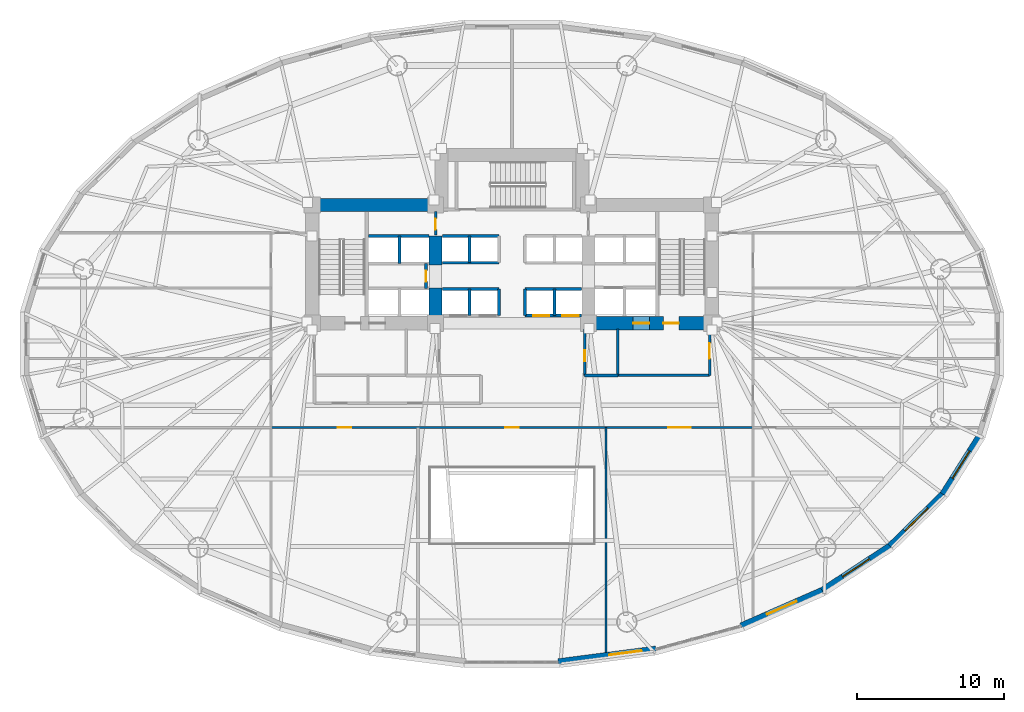
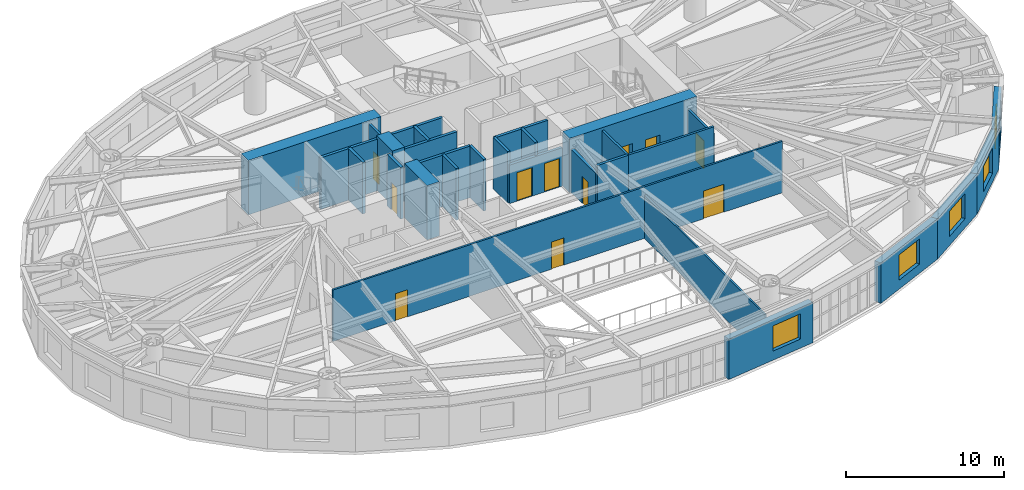
# One storey, part 10 of 19: 30 walls, 11 doors, 5 windows, 16 openings.
"""IFC4 building model written with IfcOpenShell, lengths in metres."""

from ifc_helpers import new_model, si_unit, direction, frame, frame_2d, origin, place, context, subcontext, project, spatial, rectangle, extrude, material, layer, layer_set, type_object, element, fill, save


model = new_model("IFC4")

# Units and contexts
model_context = context("Model", 3, precision=1e-05, world=origin(), true_north=direction((0.0, 1.0)))
body_context = subcontext(model_context, "Body", "Model", "MODEL_VIEW")
ifc_project = project(units=[si_unit("LENGTHUNIT", "METRE"), si_unit("AREAUNIT", "SQUARE_METRE"), si_unit("VOLUMEUNIT", "CUBIC_METRE"), si_unit("PLANEANGLEUNIT", "RADIAN"), si_unit("MASSUNIT", "GRAM", prefix="KILO")], contexts=[model_context])

# Site, building, storey
site_placement = place(None, origin())
site = spatial("IfcSite", under=ifc_project, at=site_placement, CompositionType="ELEMENT")
building_placement = place(site_placement, origin())
building = spatial("IfcBuilding", under=site, at=building_placement, Name="Keldmark Tower", CompositionType="ELEMENT")
storey_placement = place(building_placement, frame((0.0, 0.0, 10.199951171875)))
storey = spatial("IfcBuildingStorey", under=building, at=storey_placement, Name="L02", CompositionType="ELEMENT", Elevation=10.199951171875)

# Wall, openings, doors
ifc_material_1 = material(Name="Acoustic Double-Layer Gypsum Corridor Partition", Category="gypsum")
ifc_layer_1 = layer(ifc_material_1, 0.139892578125)
ifc_layer_set_1 = layer_set([ifc_layer_1], Name="Acoustic Double-Layer Gypsum Corridor Partition")
wall_type_1 = type_object("IfcWallType", Name="Acoustic Corridor Partition 140 mm", PredefinedType="PARTITIONING", material=ifc_layer_set_1)
wall_1_placement = place(storey_placement, frame((-16.39990234375, -5.699951171875, 0.0), z_axis=(0.0, 0.0, 1.0), x_axis=(1.0, 0.0, 0.0)))
wall_1 = element("IfcWall", 1, at=wall_1_placement, inside=storey, type_object=wall_type_1, Name="L02 Acoustic Corridor Partition 140 mm COR-S", PredefinedType="PARTITIONING", context=body_context, shape_type="SweptSolid", body=[
    extrude(rectangle(XDim=32.7998046875, YDim=0.139892578125, at=frame_2d((16.39990234375, 0.0))), origin(), (0.0, 0.0, 1.0), 3.97998046875),
])
opening_1_placement = place(wall_1_placement, frame((4.550048828125, 0.0, 0.0)))
opening_1 = element("IfcOpeningElement", 2, at=opening_1_placement, cuts=wall_1, Name="Opening D-IN090", PredefinedType="OPENING", context=body_context, shape_type="SweptSolid", body=[
    extrude(rectangle(XDim=0.89990234375, YDim=2.10009765625, at=frame_2d((0.449951171875, 1.050048828125))), frame((0.0, 0.079833984375, 0.0), z_axis=(0.0, -1.0, 0.0), x_axis=(1.0, 0.0, 0.0)), (0.0, 0.0, 1.0), 0.159912109375),
])
opening_2_placement = place(wall_1_placement, frame((15.949951171875, 0.0, 0.0)))
opening_2 = element("IfcOpeningElement", 3, at=opening_2_placement, cuts=wall_1, Name="Opening D-IN090", PredefinedType="OPENING", context=body_context, shape_type="SweptSolid", body=[
    extrude(rectangle(XDim=0.89990234375, YDim=2.10009765625, at=frame_2d((0.449951171875, 1.050048828125))), frame((0.0, 0.079833984375, 0.0), z_axis=(0.0, -1.0, 0.0), x_axis=(1.0, 0.0, 0.0)), (0.0, 0.0, 1.0), 0.159912109375),
])
opening_3_placement = place(wall_1_placement, frame((27.050048828125, 0.0, 0.0)))
opening_3 = element("IfcOpeningElement", 4, at=opening_3_placement, cuts=wall_1, Name="Opening D-CF150", PredefinedType="OPENING", context=body_context, shape_type="SweptSolid", body=[
    extrude(rectangle(XDim=1.5, YDim=2.14990234375, at=frame_2d((0.75, 1.074951171875))), frame((0.0, 0.079833984375, 0.0), z_axis=(0.0, -1.0, 0.0), x_axis=(1.0, 0.0, 0.0)), (0.0, 0.0, 1.0), 0.159912109375),
])
ifc_material_2 = material(Name="Acoustic Timber and Tempered Glass Double Door", Category="wood")
door_type_1 = type_object("IfcDoorType", Name="Conference Double Door 1500x2150", OperationType="DOUBLE_DOOR_SINGLE_SWING", PredefinedType="DOOR", material=ifc_material_2)
door_1_placement = place(opening_3_placement, origin())
door_1 = element("IfcDoor", 5, at=door_1_placement, inside=storey, type_object=door_type_1, Name="L02 Conference Double Door 1500x2150 D-SR-3-L02", OperationType="DOUBLE_DOOR_SINGLE_SWING", OverallHeight=2.14990234375, OverallWidth=1.5, PredefinedType="DOOR", context=body_context, shape_type="SweptSolid", body=[
    extrude(rectangle(XDim=1.5, YDim=2.14990234375, at=frame_2d((0.75, 1.074951171875))), frame((0.0, 0.02490234375, 0.0), z_axis=(0.0, -1.0, 0.0), x_axis=(1.0, 0.0, 0.0)), (0.0, 0.0, 1.0), 0.050048828125),
])
fill(opening_3, door_1)
ifc_material_3 = material(Name="Stained American White Oak Veneer", Category="wood")
door_type_2 = type_object("IfcDoorType", Name="Interior Door 900x2100", OperationType="NOTDEFINED", PredefinedType="DOOR", material=ifc_material_3)
door_2_placement = place(opening_1_placement, origin())
door_2 = element("IfcDoor", 6, at=door_2_placement, inside=storey, type_object=door_type_2, Name="L02 Interior Door 900x2100 D-SR-1-L02", OperationType="SINGLE_SWING_LEFT", OverallHeight=2.10009765625, OverallWidth=0.89990234375, PredefinedType="DOOR", context=body_context, shape_type="SweptSolid", body=[
    extrude(rectangle(XDim=0.89990234375, YDim=2.10009765625, at=frame_2d((0.449951171875, 1.050048828125))), frame((0.0, 0.02490234375, 0.0), z_axis=(0.0, -1.0, 0.0), x_axis=(1.0, 0.0, 0.0)), (0.0, 0.0, 1.0), 0.050048828125),
])
fill(opening_1, door_2)
door_3_placement = place(opening_2_placement, origin())
door_3 = element("IfcDoor", 7, at=door_3_placement, inside=storey, type_object=door_type_2, Name="L02 Interior Door 900x2100 D-SR-2-L02", OperationType="SINGLE_SWING_RIGHT", OverallHeight=2.10009765625, OverallWidth=0.89990234375, PredefinedType="DOOR", context=body_context, shape_type="SweptSolid", body=[
    extrude(rectangle(XDim=0.89990234375, YDim=2.10009765625, at=frame_2d((0.449951171875, 1.050048828125))), frame((0.0, 0.02490234375, 0.0), z_axis=(0.0, -1.0, 0.0), x_axis=(1.0, 0.0, 0.0)), (0.0, 0.0, 1.0), 0.050048828125),
])
fill(opening_2, door_3)

# Walls
ifc_material_4 = material(Name="Acoustic Gypsum Board Interior Partition", Category="gypsum")
ifc_layer_2 = layer(ifc_material_4, 0.1298828125)
ifc_layer_set_2 = layer_set([ifc_layer_2], Name="Acoustic Gypsum Board Interior Partition")
wall_type_2 = type_object("IfcWallType", Name="Interior Partition 130 mm", PredefinedType="PARTITIONING", material=ifc_layer_set_2)
wall_2_placement = place(storey_placement, frame((6.39990234375, -20.994873046875, 0.0), z_axis=(0.0, 0.0, 1.0), x_axis=(0.0, 1.0, 0.0)))
element("IfcWall", 8, at=wall_2_placement, inside=storey, type_object=wall_type_2, Name="L02 Interior Partition 130 mm S-DIV-2", PredefinedType="PARTITIONING", context=body_context, shape_type="SweptSolid", body=[
    extrude(rectangle(XDim=15.294921875, YDim=0.1298828125, at=frame_2d((7.6474609375, 0.0))), origin(), (0.0, 0.0, 1.0), 3.34814453125),
])
ifc_material_5 = material(Name="Concrete C70/85", Category="concrete")
ifc_layer_3 = layer(ifc_material_5, 0.89990234375)
ifc_layer_set_3 = layer_set([ifc_layer_3], Name="Concrete C70/85")
wall_type_3 = type_object("IfcWallType", Name="Lower Core Shear Wall 900 mm", PredefinedType="SHEAR", material=ifc_layer_set_3)
wall_3_placement = place(storey_placement, frame((-14.050048828125, 9.449951171875, 0.0), z_axis=(0.0, 0.0, 1.0), x_axis=(1.0, 0.0, 0.0)))
element("IfcWall", 9, at=wall_3_placement, inside=storey, type_object=wall_type_3, Name="L02 West Core North Shear Wall", PredefinedType="SHEAR", context=body_context, shape_type="SweptSolid", body=[
    extrude(rectangle(XDim=9.699951171875, YDim=0.89990234375, at=frame_2d((4.85009765625, 0.0))), origin(), (0.0, 0.0, 1.0), 4.199951171875),
])
wall_4_placement = place(storey_placement, frame((-5.199951171875, 0.949951171875, 0.0), z_axis=(0.0, 0.0, 1.0), x_axis=(0.0, 1.0, 0.0)))
element("IfcWall", 10, at=wall_4_placement, inside=storey, type_object=wall_type_3, Name="L02 West Core Inner Shear Pier South", PredefinedType="SHEAR", context=body_context, shape_type="SweptSolid", body=[
    extrude(rectangle(XDim=2.85009765625, YDim=0.89990234375, at=frame_2d((1.425048828125, 0.0))), origin(), (0.0, 0.0, 1.0), 4.199951171875),
])
wall_5_placement = place(storey_placement, frame((-5.199951171875, 5.35009765625, 0.0), z_axis=(0.0, 0.0, 1.0), x_axis=(0.0, 1.0, 0.0)))
element("IfcWall", 11, at=wall_5_placement, inside=storey, type_object=wall_type_3, Name="L02 West Core Inner Shear Pier North", PredefinedType="SHEAR", context=body_context, shape_type="SweptSolid", body=[
    extrude(rectangle(XDim=2.0, YDim=0.89990234375, at=frame_2d((1.0, 0.0))), origin(), (0.0, 0.0, 1.0), 4.199951171875),
])

# Wall, openings, doors
wall_6_placement = place(storey_placement, frame((14.050048828125, 1.39990234375, 0.0), z_axis=(0.0, 0.0, 1.0), x_axis=(-1.0, 0.0, 0.0)))
wall_6 = element("IfcWall", 12, at=wall_6_placement, inside=storey, type_object=wall_type_3, Name="L02 East Core South Shear Wall", PredefinedType="SHEAR", context=body_context, shape_type="SweptSolid", body=[
    extrude(rectangle(XDim=9.300048828125, YDim=0.89990234375, at=frame_2d((4.64990234375, 0.0))), origin(), (0.0, 0.0, 1.0), 4.199951171875),
])
opening_4_placement = place(wall_6_placement, frame((2.699951171875, 0.0, 0.0)))
opening_4 = element("IfcOpeningElement", 13, at=opening_4_placement, cuts=wall_6, Name="Opening D-ST105", PredefinedType="OPENING", context=body_context, shape_type="SweptSolid", body=[
    extrude(rectangle(XDim=1.050048828125, YDim=2.14990234375, at=frame_2d((0.52490234375, 1.074951171875))), frame((0.0, 0.4599609375, 0.0), z_axis=(0.0, -1.0, 0.0), x_axis=(1.0, 0.0, 0.0)), (0.0, 0.0, 1.0), 0.919921875),
])
opening_5_placement = place(wall_6_placement, frame((4.699951171875, 0.0, 0.0)))
opening_5 = element("IfcOpeningElement", 14, at=opening_5_placement, cuts=wall_6, Name="Opening LD-110", PredefinedType="OPENING", context=body_context, shape_type="SweptSolid", body=[
    extrude(rectangle(XDim=1.10009765625, YDim=2.199951171875, at=frame_2d((0.550048828125, 1.10009765625))), frame((0.0, 0.4599609375, 0.0), z_axis=(0.0, -1.0, 0.0), x_axis=(1.0, 0.0, 0.0)), (0.0, 0.0, 1.0), 0.919921875),
])
ifc_material_6 = material(Name="Brushed Bronze Hoistway Sliding Leaf", Category="metal")
door_type_3 = type_object("IfcDoorType", Name="Lift Landing Sliding Door 1100x2200", OperationType="SLIDING_TO_LEFT", PredefinedType="DOOR", material=ifc_material_6)
door_4_placement = place(opening_5_placement, origin())
door_4 = element("IfcDoor", 15, at=door_4_placement, inside=storey, type_object=door_type_3, Name="L02 Lift Landing Sliding Door 1100x2200 LD-EL-FS2-L02", OperationType="SLIDING_TO_LEFT", OverallHeight=2.199951171875, OverallWidth=1.10009765625, PredefinedType="DOOR", context=body_context, shape_type="SweptSolid", body=[
    extrude(rectangle(XDim=1.10009765625, YDim=2.199951171875, at=frame_2d((0.550048828125, 1.10009765625))), frame((0.0, 0.02490234375, 0.0), z_axis=(0.0, -1.0, 0.0), x_axis=(1.0, 0.0, 0.0)), (0.0, 0.0, 1.0), 0.050048828125),
])
fill(opening_5, door_4)
ifc_material_7 = material(Name="Hollow Metal Fire-Rated Door Assembly", Category="metal")
door_type_4 = type_object("IfcDoorType", Name="Stair Fire Door 1050x2150", OperationType="NOTDEFINED", PredefinedType="DOOR", material=ifc_material_7)
door_5_placement = place(opening_4_placement, origin())
door_5 = element("IfcDoor", 16, at=door_5_placement, inside=storey, type_object=door_type_4, Name="L02 Stair Fire Door 1050x2150 D-ST2-L02", OperationType="SINGLE_SWING_LEFT", OverallHeight=2.14990234375, OverallWidth=1.050048828125, PredefinedType="DOOR", context=body_context, shape_type="SweptSolid", body=[
    extrude(rectangle(XDim=1.050048828125, YDim=2.14990234375, at=frame_2d((0.52490234375, 1.074951171875))), frame((0.0, 0.02490234375, 0.0), z_axis=(0.0, -1.0, 0.0), x_axis=(1.0, 0.0, 0.0)), (0.0, 0.0, 1.0), 0.050048828125),
])
fill(opening_4, door_5)

# Wall, opening, window
ifc_material_8 = material(Name="Ironspot Manganese Brick and Kasota Buff Limestone Cavity Assembly", Category="masonry")
ifc_layer_4 = layer(ifc_material_8, 0.47998046875)
ifc_layer_set_4 = layer_set([ifc_layer_4], Name="Ironspot Manganese Brick and Kasota Buff Limestone Cavity Assembly")
wall_type_4 = type_object("IfcWallType", Name="Podium Brick and Limestone Cavity Wall 480 mm", PredefinedType="STANDARD", material=ifc_layer_set_4)
wall_7_placement = place(storey_placement, frame((9.802490234375, -20.800537109375, 0.0), z_axis=(0.0, 0.0, 1.0), x_axis=(-0.991575864932, -0.12952723298, 0.0)))
wall_7 = element("IfcWall", 17, at=wall_7_placement, inside=storey, type_object=wall_type_4, Name="L02 Exterior Brick and Spandrel Wall 25", PredefinedType="STANDARD", context=body_context, shape_type="SweptSolid", body=[
    extrude(rectangle(XDim=6.7158203125, YDim=0.47998046875, at=frame_2d((3.35791015625, 0.0))), origin(), (0.0, 0.0, 1.0), 3.109130859375),
])
opening_6_placement = place(wall_7_placement, frame((0.993408203125, 0.0, 0.699951171875)))
opening_6 = element("IfcOpeningElement", 18, at=opening_6_placement, cuts=wall_7, Name="Opening W-01", PredefinedType="OPENING", context=body_context, shape_type="SweptSolid", body=[
    extrude(rectangle(XDim=2.199951171875, YDim=1.949951171875, at=frame_2d((1.10009765625, 0.97509765625))), frame((0.0, 0.25, 0.0), z_axis=(0.0, -1.0, 0.0), x_axis=(1.0, 0.0, 0.0)), (0.0, 0.0, 1.0), 0.5),
])
ifc_material_9 = material(Name="Thermally Broken Anodized Aluminum and Triple Low-E Argon Glazing", Category="aluminium")
window_type = type_object("IfcWindowType", Name="Podium Arched-Head Punched Window 2200x1950", PartitioningType="SINGLE_PANEL", PredefinedType="WINDOW", material=ifc_material_9)
window_1_placement = place(opening_6_placement, origin())
window_1 = element("IfcWindow", 19, at=window_1_placement, inside=storey, type_object=window_type, Name="L02 Deep-Set Window 25", OverallHeight=1.949951171875, OverallWidth=2.199951171875, PartitioningType="SINGLE_PANEL", PredefinedType="WINDOW", context=body_context, shape_type="SweptSolid", body=[
    extrude(rectangle(XDim=2.199951171875, YDim=1.949951171875, at=frame_2d((1.10009765625, 0.97509765625))), frame((0.0, -0.010009765625, 0.0), z_axis=(0.0, -1.0, 0.0), x_axis=(1.0, 0.0, 0.0)), (0.0, 0.0, 1.0), 0.06005859375),
])
fill(opening_6, window_1)

wall_8_placement = place(storey_placement, frame((21.15576171875, -16.786376953125, 0.0), z_axis=(0.0, 0.0, 1.0), x_axis=(-0.915720949248, -0.401814811957, 0.0)))
wall_8 = element("IfcWall", 20, at=wall_8_placement, inside=storey, type_object=wall_type_4, Name="L02 Exterior Brick and Spandrel Wall 27", PredefinedType="STANDARD", context=body_context, shape_type="SweptSolid", body=[
    extrude(rectangle(XDim=6.068115234375, YDim=0.47998046875, at=frame_2d((3.0341796875, 0.0))), origin(), (0.0, 0.0, 1.0), 3.109130859375),
])
opening_7_placement = place(wall_8_placement, frame((1.93408203125, 0.0, 0.699951171875)))
opening_7 = element("IfcOpeningElement", 21, at=opening_7_placement, cuts=wall_8, Name="Opening W-01", PredefinedType="OPENING", context=body_context, shape_type="SweptSolid", body=[
    extrude(rectangle(XDim=2.199951171875, YDim=1.949951171875, at=frame_2d((1.10009765625, 0.97509765625))), frame((0.0, 0.25, 0.0), z_axis=(0.0, -1.0, 0.0), x_axis=(1.0, 0.0, 0.0)), (0.0, 0.0, 1.0), 0.5),
])
window_2_placement = place(opening_7_placement, origin())
window_2 = element("IfcWindow", 22, at=window_2_placement, inside=storey, type_object=window_type, Name="L02 Deep-Set Window 27", OverallHeight=1.949951171875, OverallWidth=2.199951171875, PartitioningType="SINGLE_PANEL", PredefinedType="WINDOW", context=body_context, shape_type="SweptSolid", body=[
    extrude(rectangle(XDim=2.199951171875, YDim=1.949951171875, at=frame_2d((1.10009765625, 0.97509765625))), frame((0.0, -0.010009765625, 0.0), z_axis=(0.0, -1.0, 0.0), x_axis=(1.0, 0.0, 0.0)), (0.0, 0.0, 1.0), 0.06005859375),
])
fill(opening_7, window_2)

wall_9_placement = place(storey_placement, frame((25.76416015625, -13.756103515625, 0.0), z_axis=(0.0, 0.0, 1.0), x_axis=(-0.835863918172, -0.548936708827, 0.0)))
wall_9 = element("IfcWall", 23, at=wall_9_placement, inside=storey, type_object=wall_type_4, Name="L02 Exterior Brick and Spandrel Wall 28", PredefinedType="STANDARD", context=body_context, shape_type="SweptSolid", body=[
    extrude(rectangle(XDim=5.555419921875, YDim=0.47998046875, at=frame_2d((2.77783203125, 0.0))), origin(), (0.0, 0.0, 1.0), 3.109130859375),
])
opening_8_placement = place(wall_9_placement, frame((1.677734375, 0.0, 0.699951171875)))
opening_8 = element("IfcOpeningElement", 24, at=opening_8_placement, cuts=wall_9, Name="Opening W-01", PredefinedType="OPENING", context=body_context, shape_type="SweptSolid", body=[
    extrude(rectangle(XDim=2.199951171875, YDim=1.949951171875, at=frame_2d((1.10009765625, 0.97509765625))), frame((0.0, 0.25, 0.0), z_axis=(0.0, -1.0, 0.0), x_axis=(1.0, 0.0, 0.0)), (0.0, 0.0, 1.0), 0.5),
])
window_3_placement = place(opening_8_placement, origin())
window_3 = element("IfcWindow", 25, at=window_3_placement, inside=storey, type_object=window_type, Name="L02 Deep-Set Window 28", OverallHeight=1.949951171875, OverallWidth=2.199951171875, PartitioningType="SINGLE_PANEL", PredefinedType="WINDOW", context=body_context, shape_type="SweptSolid", body=[
    extrude(rectangle(XDim=2.199951171875, YDim=1.949951171875, at=frame_2d((1.10009765625, 0.97509765625))), frame((0.0, -0.010009765625, 0.0), z_axis=(0.0, -1.0, 0.0), x_axis=(1.0, 0.0, 0.0)), (0.0, 0.0, 1.0), 0.06005859375),
])
fill(opening_8, window_3)

wall_10_placement = place(storey_placement, frame((29.376220703125, -10.199462890625, 0.0), z_axis=(0.0, 0.0, 1.0), x_axis=(-0.713189080178, -0.700971708355, 0.0)))
wall_10 = element("IfcWall", 26, at=wall_10_placement, inside=storey, type_object=wall_type_4, Name="L02 Exterior Brick and Spandrel Wall 29", PredefinedType="STANDARD", context=body_context, shape_type="SweptSolid", body=[
    extrude(rectangle(XDim=5.11572265625, YDim=0.47998046875, at=frame_2d((2.557861328125, 0.0))), origin(), (0.0, 0.0, 1.0), 3.109130859375),
])
opening_9_placement = place(wall_10_placement, frame((1.4580078125, 0.0, 0.699951171875)))
opening_9 = element("IfcOpeningElement", 27, at=opening_9_placement, cuts=wall_10, Name="Opening W-01", PredefinedType="OPENING", context=body_context, shape_type="SweptSolid", body=[
    extrude(rectangle(XDim=2.199951171875, YDim=1.949951171875, at=frame_2d((1.10009765625, 0.97509765625))), frame((0.0, 0.25, 0.0), z_axis=(0.0, -1.0, 0.0), x_axis=(1.0, 0.0, 0.0)), (0.0, 0.0, 1.0), 0.5),
])
window_4_placement = place(opening_9_placement, origin())
window_4 = element("IfcWindow", 28, at=window_4_placement, inside=storey, type_object=window_type, Name="L02 Deep-Set Window 29", OverallHeight=1.949951171875, OverallWidth=2.199951171875, PartitioningType="SINGLE_PANEL", PredefinedType="WINDOW", context=body_context, shape_type="SweptSolid", body=[
    extrude(rectangle(XDim=2.199951171875, YDim=1.949951171875, at=frame_2d((1.10009765625, 0.97509765625))), frame((0.0, -0.010009765625, 0.0), z_axis=(0.0, -1.0, 0.0), x_axis=(1.0, 0.0, 0.0)), (0.0, 0.0, 1.0), 0.06005859375),
])
fill(opening_9, window_4)

wall_11_placement = place(storey_placement, frame((31.8544921875, -6.25830078125, 0.0), z_axis=(0.0, 0.0, 1.0), x_axis=(-0.53349762721, -0.845801561693, 0.0)))
wall_11 = element("IfcWall", 29, at=wall_11_placement, inside=storey, type_object=wall_type_4, Name="L02 Exterior Brick and Spandrel Wall 30", PredefinedType="STANDARD", context=body_context, shape_type="SweptSolid", body=[
    extrude(rectangle(XDim=4.710693359375, YDim=0.47998046875, at=frame_2d((2.35546875, 0.0))), origin(), (0.0, 0.0, 1.0), 3.109130859375),
])
opening_10_placement = place(wall_11_placement, frame((1.25537109375, 0.0, 0.699951171875)))
opening_10 = element("IfcOpeningElement", 30, at=opening_10_placement, cuts=wall_11, Name="Opening W-01", PredefinedType="OPENING", context=body_context, shape_type="SweptSolid", body=[
    extrude(rectangle(XDim=2.199951171875, YDim=1.949951171875, at=frame_2d((1.10009765625, 0.97509765625))), frame((0.0, 0.25, 0.0), z_axis=(0.0, -1.0, 0.0), x_axis=(1.0, 0.0, 0.0)), (0.0, 0.0, 1.0), 0.5),
])
window_5_placement = place(opening_10_placement, origin())
window_5 = element("IfcWindow", 31, at=window_5_placement, inside=storey, type_object=window_type, Name="L02 Deep-Set Window 30", OverallHeight=1.949951171875, OverallWidth=2.199951171875, PartitioningType="SINGLE_PANEL", PredefinedType="WINDOW", context=body_context, shape_type="SweptSolid", body=[
    extrude(rectangle(XDim=2.199951171875, YDim=1.949951171875, at=frame_2d((1.10009765625, 0.97509765625))), frame((0.0, -0.010009765625, 0.0), z_axis=(0.0, -1.0, 0.0), x_axis=(1.0, 0.0, 0.0)), (0.0, 0.0, 1.0), 0.06005859375),
])
fill(opening_10, window_5)

# Walls
ifc_material_10 = material(Name="Type X Fire-Rated Gypsum Partition Assembly", Category="gypsum")
ifc_layer_5 = layer(ifc_material_10, 0.1650390625)
ifc_layer_set_5 = layer_set([ifc_layer_5], Name="Type X Fire-Rated Gypsum Partition Assembly")
wall_type_5 = type_object("IfcWallType", Name="Rated Partition 165 mm", PredefinedType="PARTITIONING", material=ifc_layer_set_5)
wall_12_placement = place(storey_placement, frame((7.199951171875, -2.14990234375, 0.0), z_axis=(0.0, 0.0, 1.0), x_axis=(1.0, 0.0, 0.0)))
element("IfcWall", 32, at=wall_12_placement, inside=storey, type_object=wall_type_5, Name="L02 Rated Partition 165 mm FSAE-E-S", PredefinedType="PARTITIONING", context=body_context, shape_type="SweptSolid", body=[
    extrude(rectangle(XDim=6.25, YDim=0.1650390625, at=frame_2d((3.125, 0.0))), origin(), (0.0, 0.0, 1.0), 3.97998046875),
])
wall_13_placement = place(storey_placement, frame((7.199951171875, -2.14990234375, 0.0), z_axis=(0.0, 0.0, 1.0), x_axis=(0.0, 1.0, 0.0)))
element("IfcWall", 33, at=wall_13_placement, inside=storey, type_object=wall_type_5, Name="L02 Rated Partition 165 mm FSAE-E-W", PredefinedType="PARTITIONING", context=body_context, shape_type="SweptSolid", body=[
    extrude(rectangle(XDim=3.14990234375, YDim=0.1650390625, at=frame_2d((1.574951171875, 0.0))), origin(), (0.0, 0.0, 1.0), 3.97998046875),
])

# Wall, opening, door
wall_14_placement = place(storey_placement, frame((13.449951171875, -2.14990234375, 0.0), z_axis=(0.0, 0.0, 1.0), x_axis=(0.0, 1.0, 0.0)))
wall_14 = element("IfcWall", 34, at=wall_14_placement, inside=storey, type_object=wall_type_5, Name="L02 Rated Partition 165 mm FSAE-E-E", PredefinedType="PARTITIONING", context=body_context, shape_type="SweptSolid", body=[
    extrude(rectangle(XDim=3.14990234375, YDim=0.1650390625, at=frame_2d((1.574951171875, 0.0))), origin(), (0.0, 0.0, 1.0), 3.43310546875),
])
opening_11_placement = place(wall_14_placement, frame((1.14990234375, 0.0, 0.0)))
opening_11 = element("IfcOpeningElement", 35, at=opening_11_placement, cuts=wall_14, Name="Opening D-FL105", PredefinedType="OPENING", context=body_context, shape_type="SweptSolid", body=[
    extrude(rectangle(XDim=1.050048828125, YDim=2.14990234375, at=frame_2d((0.52490234375, 1.074951171875))), frame((0.0, 0.092529296875, 0.0), z_axis=(0.0, -1.0, 0.0), x_axis=(1.0, 0.0, 0.0)), (0.0, 0.0, 1.0), 0.18505859375),
])
ifc_material_11 = material(Name="Fire-Rated Mineral-Core Door and Vision Lite", Category="metal")
door_type_5 = type_object("IfcDoorType", Name="Fire Lobby Door 1050x2150", OperationType="NOTDEFINED", PredefinedType="DOOR", material=ifc_material_11)
door_6_placement = place(opening_11_placement, origin())
door_6 = element("IfcDoor", 36, at=door_6_placement, inside=storey, type_object=door_type_5, Name="L02 Fire Lobby Door 1050x2150 D-FSAEE-OUT-L02", OperationType="SINGLE_SWING_LEFT", OverallHeight=2.14990234375, OverallWidth=1.050048828125, PredefinedType="DOOR", context=body_context, shape_type="SweptSolid", body=[
    extrude(rectangle(XDim=1.050048828125, YDim=2.14990234375, at=frame_2d((0.52490234375, 1.074951171875))), frame((0.0, 0.02490234375, 0.0), z_axis=(0.0, -1.0, 0.0), x_axis=(1.0, 0.0, 0.0)), (0.0, 0.0, 1.0), 0.050048828125),
])
fill(opening_11, door_6)

wall_15_placement = place(storey_placement, frame((-5.199951171875, 7.419921875, 0.0), z_axis=(0.0, 0.0, 1.0), x_axis=(0.0, 1.0, 0.0)))
wall_15 = element("IfcWall", 37, at=wall_15_placement, inside=storey, type_object=wall_type_5, Name="L02 Rated Partition 165 mm CS-NW-E", PredefinedType="PARTITIONING", context=body_context, shape_type="SweptSolid", body=[
    extrude(rectangle(XDim=1.580078125, YDim=0.1650390625, at=frame_2d((0.7900390625, 0.0))), origin(), (0.0, 0.0, 1.0), 3.97998046875),
])
opening_12_placement = place(wall_15_placement, frame((0.35009765625, 0.0, 0.0)))
opening_12 = element("IfcOpeningElement", 38, at=opening_12_placement, cuts=wall_15, Name="Opening D-RS075", PredefinedType="OPENING", context=body_context, shape_type="SweptSolid", body=[
    extrude(rectangle(XDim=0.75, YDim=2.10009765625, at=frame_2d((0.375, 1.050048828125))), frame((0.0, 0.092529296875, 0.0), z_axis=(0.0, -1.0, 0.0), x_axis=(1.0, 0.0, 0.0)), (0.0, 0.0, 1.0), 0.18505859375),
])
ifc_material_12 = material(Name="Galvanized Fire-Rated Access Leaf", Category="metal")
door_type_6 = type_object("IfcDoorType", Name="Riser Access Door 750x2100", OperationType="NOTDEFINED", PredefinedType="DOOR", material=ifc_material_12)
door_7_placement = place(opening_12_placement, origin())
door_7 = element("IfcDoor", 39, at=door_7_placement, inside=storey, type_object=door_type_6, Name="L02 Riser Access Door 750x2100 D-CSNW1-L02", OperationType="SINGLE_SWING_LEFT", OverallHeight=2.10009765625, OverallWidth=0.75, PredefinedType="DOOR", context=body_context, shape_type="SweptSolid", body=[
    extrude(rectangle(XDim=0.75, YDim=2.10009765625, at=frame_2d((0.375, 1.050048828125))), frame((0.0, 0.02490234375, 0.0), z_axis=(0.0, -1.0, 0.0), x_axis=(1.0, 0.0, 0.0)), (0.0, 0.0, 1.0), 0.050048828125),
])
fill(opening_12, door_7)

# Wall
ifc_material_13 = material(Name="Fire-Resistant Type X Gypsum Shaftliner Coreboard", Category="gypsum")
ifc_layer_6 = layer(ifc_material_13, 0.199951171875)
ifc_layer_set_6 = layer_set([ifc_layer_6], Name="Fire-Resistant Type X Gypsum Shaftliner Coreboard")
wall_type_6 = type_object("IfcWallType", Name="Shaft Wall 200 mm", PredefinedType="SOLIDWALL", material=ifc_layer_set_6)
wall_16_placement = place(storey_placement, frame((4.949951171875, -2.14990234375, 0.0), z_axis=(0.0, 0.0, 1.0), x_axis=(1.0, 0.0, 0.0)))
element("IfcWall", 40, at=wall_16_placement, inside=storey, type_object=wall_type_6, Name="L02 Shaft Wall 200 mm RIS-SE-S", PredefinedType="SOLIDWALL", context=body_context, shape_type="SweptSolid", body=[
    extrude(rectangle(XDim=2.25, YDim=0.199951171875, at=frame_2d((1.125, 0.0))), origin(), (0.0, 0.0, 1.0), 3.97998046875),
])

# Wall, opening, door
wall_17_placement = place(storey_placement, frame((4.949951171875, -2.14990234375, 0.0), z_axis=(0.0, 0.0, 1.0), x_axis=(0.0, 1.0, 0.0)))
wall_17 = element("IfcWall", 41, at=wall_17_placement, inside=storey, type_object=wall_type_6, Name="L02 Shaft Wall 200 mm RIS-SE-W", PredefinedType="SOLIDWALL", context=body_context, shape_type="SweptSolid", body=[
    extrude(rectangle(XDim=3.14990234375, YDim=0.199951171875, at=frame_2d((1.574951171875, 0.0))), origin(), (0.0, 0.0, 1.0), 3.34814453125),
])
opening_13_placement = place(wall_17_placement, frame((0.949951171875, 0.0, 0.0)))
opening_13 = element("IfcOpeningElement", 42, at=opening_13_placement, cuts=wall_17, Name="Opening D-RS075", PredefinedType="OPENING", context=body_context, shape_type="SweptSolid", body=[
    extrude(rectangle(XDim=0.75, YDim=2.10009765625, at=frame_2d((0.375, 1.050048828125))), frame((0.0, 0.10986328125, 0.0), z_axis=(0.0, -1.0, 0.0), x_axis=(1.0, 0.0, 0.0)), (0.0, 0.0, 1.0), 0.219970703125),
])
door_8_placement = place(opening_13_placement, origin())
door_8 = element("IfcDoor", 43, at=door_8_placement, inside=storey, type_object=door_type_6, Name="L02 Riser Access Door 750x2100 D-RISSE-L02", OperationType="SINGLE_SWING_LEFT", OverallHeight=2.10009765625, OverallWidth=0.75, PredefinedType="DOOR", context=body_context, shape_type="SweptSolid", body=[
    extrude(rectangle(XDim=0.75, YDim=2.10009765625, at=frame_2d((0.375, 1.050048828125))), frame((0.0, 0.02490234375, 0.0), z_axis=(0.0, -1.0, 0.0), x_axis=(1.0, 0.0, 0.0)), (0.0, 0.0, 1.0), 0.050048828125),
])
fill(opening_13, door_8)

# Walls
wall_18_placement = place(storey_placement, frame((-9.780029296875, 7.330078125, 0.0), z_axis=(0.0, 0.0, 1.0), x_axis=(1.0, 0.0, 0.0)))
element("IfcWall", 44, at=wall_18_placement, inside=storey, type_object=wall_type_6, Name="L02 Shaft Wall 200 mm HW-W-TOP", PredefinedType="SOLIDWALL", context=body_context, shape_type="SweptSolid", body=[
    extrude(rectangle(XDim=4.130126953125, YDim=0.199951171875, at=frame_2d((2.06494140625, 0.0))), origin(), (0.0, 0.0, 1.0), 3.97998046875),
])
wall_19_placement = place(storey_placement, frame((-7.64990234375, 5.469970703125, 0.0), z_axis=(0.0, 0.0, 1.0), x_axis=(0.0, 1.0, 0.0)))
element("IfcWall", 45, at=wall_19_placement, inside=storey, type_object=wall_type_6, Name="L02 Shaft Wall 200 mm HW-W-NM", PredefinedType="SOLIDWALL", context=body_context, shape_type="SweptSolid", body=[
    extrude(rectangle(XDim=1.860107421875, YDim=0.199951171875, at=frame_2d((0.93017578125, 0.0))), origin(), (0.0, 0.0, 1.0), 3.97998046875),
])

# Wall, opening, door
wall_20_placement = place(storey_placement, frame((-5.85009765625, 3.780029296875, 0.0), z_axis=(0.0, 0.0, 1.0), x_axis=(0.0, 1.0, 0.0)))
wall_20 = element("IfcWall", 46, at=wall_20_placement, inside=storey, type_object=wall_type_6, Name="L02 Shaft Wall 200 mm HW-W-CLOSE", PredefinedType="SOLIDWALL", context=body_context, shape_type="SweptSolid", body=[
    extrude(rectangle(XDim=1.68994140625, YDim=0.199951171875, at=frame_2d((0.844970703125, 0.0))), origin(), (0.0, 0.0, 1.0), 3.97998046875),
])
opening_14_placement = place(wall_20_placement, frame((0.449951171875, 0.0, 0.0)))
opening_14 = element("IfcOpeningElement", 47, at=opening_14_placement, cuts=wall_20, Name="Opening D-RS075", PredefinedType="OPENING", context=body_context, shape_type="SweptSolid", body=[
    extrude(rectangle(XDim=0.75, YDim=2.10009765625, at=frame_2d((0.375, 1.050048828125))), frame((0.0, 0.10986328125, 0.0), z_axis=(0.0, -1.0, 0.0), x_axis=(1.0, 0.0, 0.0)), (0.0, 0.0, 1.0), 0.219970703125),
])
door_9_placement = place(opening_14_placement, origin())
door_9 = element("IfcDoor", 48, at=door_9_placement, inside=storey, type_object=door_type_6, Name="L02 Riser Access Door 750x2100 D-RISHW-L02", OperationType="SINGLE_SWING_RIGHT", OverallHeight=2.10009765625, OverallWidth=0.75, PredefinedType="DOOR", context=body_context, shape_type="SweptSolid", body=[
    extrude(rectangle(XDim=0.75, YDim=2.10009765625, at=frame_2d((0.375, 1.050048828125))), frame((0.0, 0.02490234375, 0.0), z_axis=(0.0, -1.0, 0.0), x_axis=(1.0, 0.0, 0.0)), (0.0, 0.0, 1.0), 0.050048828125),
])
fill(opening_14, door_9)

# Wall, openings, doors
wall_21_placement = place(storey_placement, frame((0.8798828125, 1.919921875, 0.0), z_axis=(0.0, 0.0, 1.0), x_axis=(1.0, 0.0, 0.0)))
wall_21 = element("IfcWall", 49, at=wall_21_placement, inside=storey, type_object=wall_type_6, Name="L02 Shaft Wall 200 mm LOW-S-E", PredefinedType="SOLIDWALL", context=body_context, shape_type="SweptSolid", body=[
    extrude(rectangle(XDim=3.860107421875, YDim=0.199951171875, at=frame_2d((1.93017578125, 0.0))), origin(), (0.0, 0.0, 1.0), 2.969970703125),
])
opening_15_placement = place(wall_21_placement, frame((0.550048828125, 0.0, 0.0)))
opening_15 = element("IfcOpeningElement", 50, at=opening_15_placement, cuts=wall_21, Name="Opening LD-110", PredefinedType="OPENING", context=body_context, shape_type="SweptSolid", body=[
    extrude(rectangle(XDim=1.10009765625, YDim=2.199951171875, at=frame_2d((0.550048828125, 1.10009765625))), frame((0.0, 0.10986328125, 0.0), z_axis=(0.0, -1.0, 0.0), x_axis=(1.0, 0.0, 0.0)), (0.0, 0.0, 1.0), 0.219970703125),
])
opening_16_placement = place(wall_21_placement, frame((2.550048828125, 0.0, 0.0)))
opening_16 = element("IfcOpeningElement", 51, at=opening_16_placement, cuts=wall_21, Name="Opening LD-110", PredefinedType="OPENING", context=body_context, shape_type="SweptSolid", body=[
    extrude(rectangle(XDim=1.10009765625, YDim=2.199951171875, at=frame_2d((0.550048828125, 1.10009765625))), frame((0.0, 0.10986328125, 0.0), z_axis=(0.0, -1.0, 0.0), x_axis=(1.0, 0.0, 0.0)), (0.0, 0.0, 1.0), 0.219970703125),
])
door_10_placement = place(opening_15_placement, origin())
door_10 = element("IfcDoor", 52, at=door_10_placement, inside=storey, type_object=door_type_3, Name="L02 Lift Landing Sliding Door 1100x2200 LD-EL-L3-L02", OperationType="SLIDING_TO_LEFT", OverallHeight=2.199951171875, OverallWidth=1.10009765625, PredefinedType="DOOR", context=body_context, shape_type="SweptSolid", body=[
    extrude(rectangle(XDim=1.10009765625, YDim=2.199951171875, at=frame_2d((0.550048828125, 1.10009765625))), frame((0.0, 0.02490234375, 0.0), z_axis=(0.0, -1.0, 0.0), x_axis=(1.0, 0.0, 0.0)), (0.0, 0.0, 1.0), 0.050048828125),
])
fill(opening_15, door_10)
door_11_placement = place(opening_16_placement, origin())
door_11 = element("IfcDoor", 53, at=door_11_placement, inside=storey, type_object=door_type_3, Name="L02 Lift Landing Sliding Door 1100x2200 LD-EL-L4-L02", OperationType="SLIDING_TO_LEFT", OverallHeight=2.199951171875, OverallWidth=1.10009765625, PredefinedType="DOOR", context=body_context, shape_type="SweptSolid", body=[
    extrude(rectangle(XDim=1.10009765625, YDim=2.199951171875, at=frame_2d((0.550048828125, 1.10009765625))), frame((0.0, 0.02490234375, 0.0), z_axis=(0.0, -1.0, 0.0), x_axis=(1.0, 0.0, 0.0)), (0.0, 0.0, 1.0), 0.050048828125),
])
fill(opening_16, door_11)

# Walls
for number, where, z_axis, x_axis, name in (
    (54, (-4.739990234375, 3.739990234375, 0.0), (0.0, 0.0, 1.0), (1.0, 0.0, 0.0), "L02 Shaft Wall 200 mm LOW-N-W"),
    (55, (0.8798828125, 3.739990234375, 0.0), (0.0, 0.0, 1.0), (1.0, 0.0, 0.0), "L02 Shaft Wall 200 mm LOW-N-E"),
):
    element("IfcWall", number, at=place(storey_placement, frame(where, z_axis=z_axis, x_axis=x_axis)), inside=storey, type_object=wall_type_6, Name=name, PredefinedType="SOLIDWALL", context=body_context, shape_type="SweptSolid", body=[
        extrude(rectangle(XDim=3.860107421875, YDim=0.199951171875, at=frame_2d((1.93017578125, 0.0))), origin(), (0.0, 0.0, 1.0), 3.97998046875),
    ])
for number, where, z_axis, x_axis, name in (
    (56, (-2.8798828125, 1.919921875, 0.0), (0.0, 0.0, 1.0), (0.0, 1.0, 0.0), "L02 Shaft Wall 200 mm LOW-M-W"),
    (57, (2.8798828125, 1.919921875, 0.0), (0.0, 0.0, 1.0), (0.0, 1.0, 0.0), "L02 Shaft Wall 200 mm LOW-M-E"),
    (58, (-0.8798828125, 1.919921875, 0.0), (0.0, 0.0, 1.0), (0.0, 1.0, 0.0), "L02 Shaft Wall 200 mm LOW-C-W"),
    (59, (0.8798828125, 1.919921875, 0.0), (0.0, 0.0, 1.0), (0.0, 1.0, 0.0), "L02 Shaft Wall 200 mm LOW-C-E"),
):
    element("IfcWall", number, at=place(storey_placement, frame(where, z_axis=z_axis, x_axis=x_axis)), inside=storey, type_object=wall_type_6, Name=name, PredefinedType="SOLIDWALL", context=body_context, shape_type="SweptSolid", body=[
        extrude(rectangle(XDim=1.820068359375, YDim=0.199951171875, at=frame_2d((0.91015625, 0.0))), origin(), (0.0, 0.0, 1.0), 3.97998046875),
    ])
for number, where, z_axis, x_axis, name in (
    (60, (-4.739990234375, 5.52001953125, 0.0), (0.0, 0.0, 1.0), (1.0, 0.0, 0.0), "L02 Shaft Wall 200 mm MID-S-W"),
    (61, (-4.739990234375, 7.330078125, 0.0), (0.0, 0.0, 1.0), (1.0, 0.0, 0.0), "L02 Shaft Wall 200 mm MID-N-W"),
):
    element("IfcWall", number, at=place(storey_placement, frame(where, z_axis=z_axis, x_axis=x_axis)), inside=storey, type_object=wall_type_6, Name=name, PredefinedType="SOLIDWALL", context=body_context, shape_type="SweptSolid", body=[
        extrude(rectangle(XDim=3.860107421875, YDim=0.199951171875, at=frame_2d((1.93017578125, 0.0))), origin(), (0.0, 0.0, 1.0), 3.97998046875),
    ])
wall_22_placement = place(storey_placement, frame((-2.8798828125, 5.52001953125, 0.0), z_axis=(0.0, 0.0, 1.0), x_axis=(0.0, 1.0, 0.0)))
element("IfcWall", 62, at=wall_22_placement, inside=storey, type_object=wall_type_6, Name="L02 Shaft Wall 200 mm MID-M-W", PredefinedType="SOLIDWALL", context=body_context, shape_type="SweptSolid", body=[
    extrude(rectangle(XDim=1.81005859375, YDim=0.199951171875, at=frame_2d((0.905029296875, 0.0))), origin(), (0.0, 0.0, 1.0), 3.97998046875),
])

save(model, "model.ifc")
